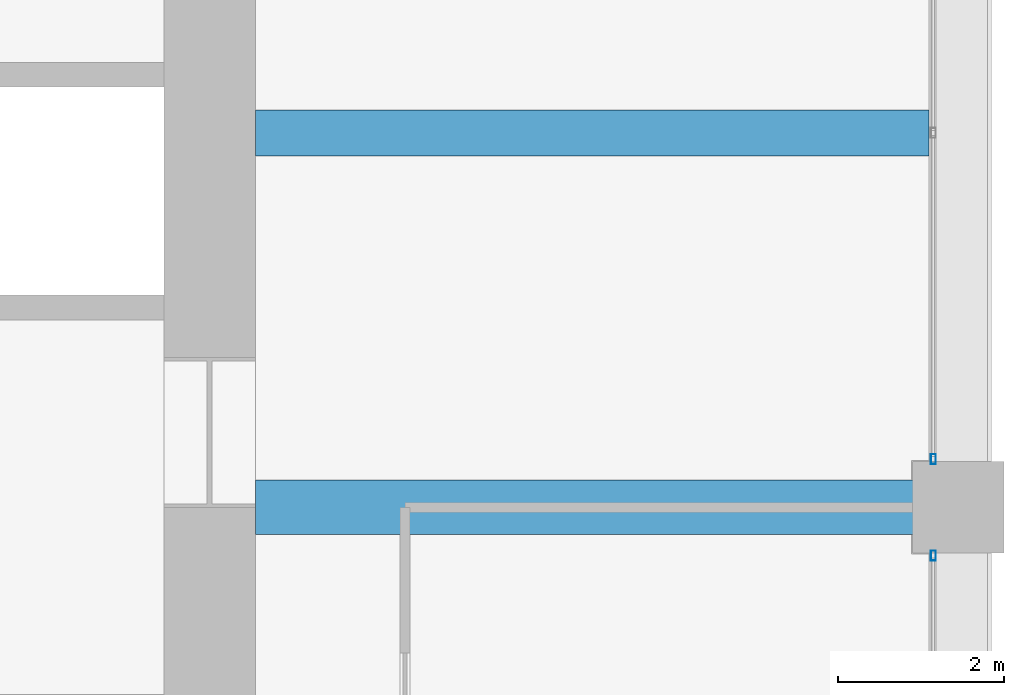
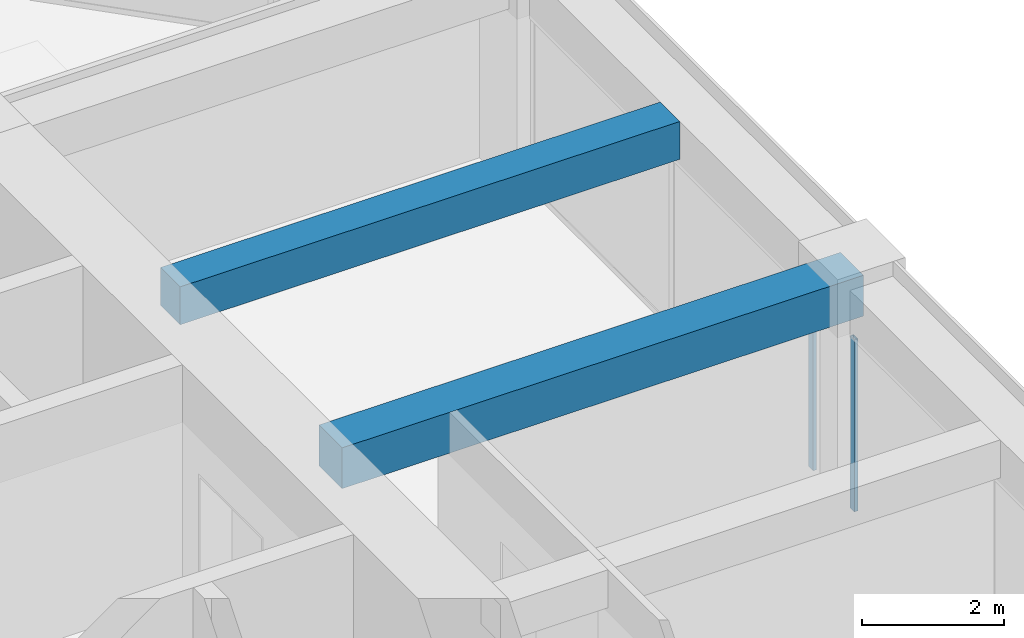
# One storey, part 26 of 44: 2 beams, 2 members, 2 elements without a shape of their own.
"""IFC4 building model written with IfcOpenShell, lengths in metres."""

from ifc_helpers import new_model, si_unit, direction, frame, origin, origin_2d, place, context, subcontext, project, spatial, rectangle, hollow_rectangle, extrude, material, material_profile, profile_set, type_object, element, aggregate, save


model = new_model("IFC4")

# Units and contexts
model_context = context("Model", 3, precision=1e-05, world=origin(), true_north=direction((0.0, 1.0)))
body_context = subcontext(model_context, "Body", "Model", "MODEL_VIEW")
ifc_project = project(units=[si_unit("LENGTHUNIT", "METRE"), si_unit("AREAUNIT", "SQUARE_METRE"), si_unit("VOLUMEUNIT", "CUBIC_METRE"), si_unit("PLANEANGLEUNIT", "RADIAN"), si_unit("MASSUNIT", "GRAM", prefix="KILO")], contexts=[model_context])

# Site, building, storey
site_placement = place(None, origin())
site = spatial("IfcSite", under=ifc_project, at=site_placement, CompositionType="ELEMENT")
building_placement = place(site_placement, origin())
building = spatial("IfcBuilding", under=site, at=building_placement, Name="Zorevar Civic Tower", CompositionType="ELEMENT")
storey_placement = place(building_placement, frame((0.0, 0.0, 263.39990234375)))
storey = spatial("IfcBuildingStorey", under=building, at=storey_placement, Name="L64", CompositionType="ELEMENT", Elevation=263.39990234375)

# Beams
ifc_material_1 = material(Name="Concrete C50/60", Category="concrete")
ifc_material_profile_1 = material_profile(ifc_material_1, rectangle(XDim=0.550048828125, YDim=0.64990234375, at=origin_2d()), Name="RC 550x650")
ifc_profile_set_1 = profile_set([ifc_material_profile_1], Name="Concrete C50/60")
beam_type_1 = type_object("IfcBeamType", Name="Beam RC 550x650", PredefinedType="BEAM", material=ifc_profile_set_1)
beam_1_placement = place(storey_placement, frame((45.550048828125, 31.5, 3.425048828125), z_axis=(1.0, 0.0, 0.0), x_axis=(0.0, 1.0, 0.0)))
element("IfcBeam", 1, at=beam_1_placement, inside=storey, type_object=beam_type_1, Name="Secondary beam L65", PredefinedType="BEAM", context=body_context, shape_type="SweptSolid", body=[
    extrude(rectangle(XDim=0.550048828125, YDim=0.64990234375, at=origin_2d()), origin(), (0.0, 0.0, 1.0), 8.099853515625),
])
ifc_material_2 = material(Name="Concrete C50/60", Category="concrete")
ifc_material_profile_2 = material_profile(ifc_material_2, rectangle(XDim=0.64990234375, YDim=0.699951171875, at=origin_2d()), Name="RC 650x700")
ifc_profile_set_2 = profile_set([ifc_material_profile_2], Name="Concrete C50/60")
beam_type_2 = type_object("IfcBeamType", Name="Beam RC 650x700", PredefinedType="BEAM", material=ifc_profile_set_2)
beam_2_placement = place(storey_placement, frame((45.550048828125, 27.0, 3.400146484375), z_axis=(1.0, 0.0, 0.0), x_axis=(0.0, 1.0, 0.0)))
element("IfcBeam", 2, at=beam_2_placement, inside=storey, type_object=beam_type_2, Name="Girder L65", PredefinedType="BEAM", context=body_context, shape_type="SweptSolid", body=[
    extrude(rectangle(XDim=0.64990234375, YDim=0.699951171875, at=origin_2d()), origin(), (0.0, 0.0, 1.0), 8.449951171875),
])

# Curtain wall, member
ifc_material_3 = material(Name="Dark grey solar-control glass in black aluminium frame", Category="aluminium")
curtain_wall_type = type_object("IfcCurtainWallType", Name="Curtain wall CW5 top zone", PredefinedType="NOTDEFINED", material=ifc_material_3)
curtain_wall_1_placement = place(storey_placement, origin())
curtain_wall_1 = element("IfcCurtainWall", 3, at=curtain_wall_1_placement, inside=storey, type_object=curtain_wall_type, Name="CW5 L64", PredefinedType="NOTDEFINED")
ifc_material_4 = material(Name="Aluminium, black anodised", Category="aluminium")
ifc_material_profile_3 = material_profile(ifc_material_4, hollow_rectangle(XDim=0.06005859375, YDim=0.1201171875, WallThickness=0.0029296875, at=origin_2d()), Name="AL 120x60x3")
ifc_profile_set_3 = profile_set([ifc_material_profile_3], Name="Aluminium, black anodised")
member_type = type_object("IfcMemberType", Name="CW5 mullion AL 120x60x3", PredefinedType="MULLION", material=ifc_profile_set_3)
member_1_placement = place(storey_placement, frame((53.699951171875, 26.419921875, 0.0), z_axis=(0.0, 0.0, 1.0), x_axis=(-1.0, 0.0, 0.0)))
member_1 = element("IfcMember", 4, at=member_1_placement, type_object=member_type, Name="CW5 mullion 3", PredefinedType="MULLION", context=body_context, shape_type="SweptSolid", body=[
    extrude(hollow_rectangle(XDim=0.06005859375, YDim=0.1201171875, WallThickness=0.0029296875, at=origin_2d()), origin(), (0.0, 0.0, 1.0), 2.9501953125),
])
aggregate(curtain_wall_1, [member_1])

curtain_wall_2_placement = place(storey_placement, origin())
curtain_wall_2 = element("IfcCurtainWall", 5, at=curtain_wall_2_placement, inside=storey, type_object=curtain_wall_type, Name="CW5 L64", PredefinedType="NOTDEFINED")
member_2_placement = place(storey_placement, frame((53.699951171875, 27.580078125, 0.0), z_axis=(0.0, 0.0, 1.0), x_axis=(-1.0, 0.0, 0.0)))
member_2 = element("IfcMember", 6, at=member_2_placement, type_object=member_type, Name="CW5 mullion 1", PredefinedType="MULLION", context=body_context, shape_type="SweptSolid", body=[
    extrude(hollow_rectangle(XDim=0.06005859375, YDim=0.1201171875, WallThickness=0.0029296875, at=origin_2d()), origin(), (0.0, 0.0, 1.0), 2.9501953125),
])
aggregate(curtain_wall_2, [member_2])

save(model, "model.ifc")
